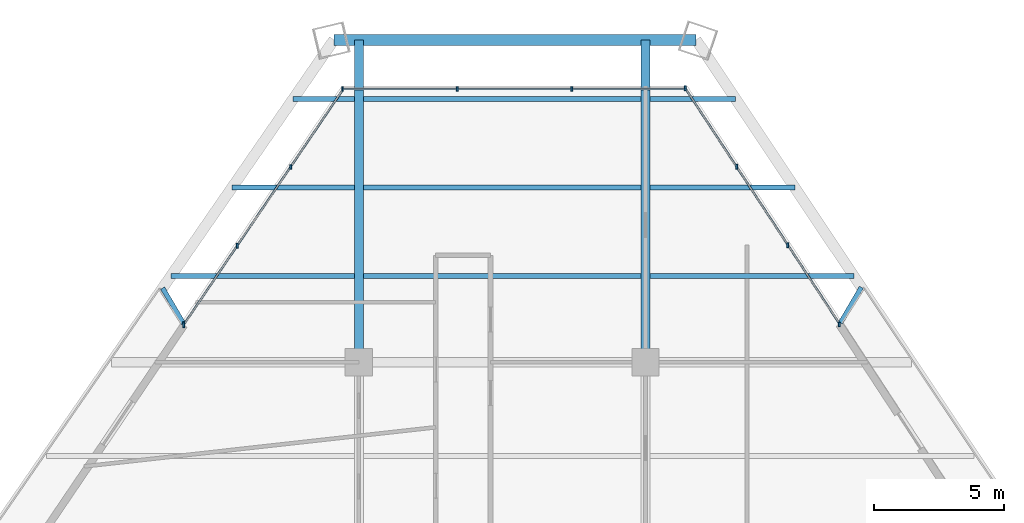
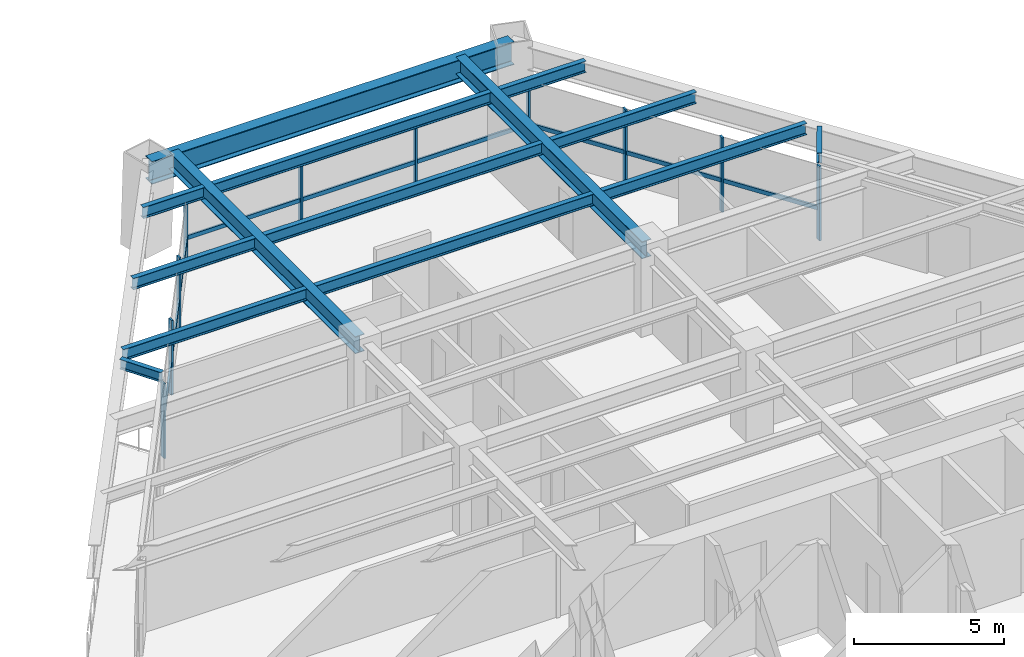
# One storey, part 8 of 14: 20 members, 14 beams, 3 elements without a shape of their own.
"""IFC4 building model written with IfcOpenShell, lengths in metres."""

from ifc_helpers import new_model, si_unit, direction, frame, origin, origin_2d, place, context, subcontext, project, spatial, rectangle, i_section, extrude, source, transform, mapped, material, material_profile, profile_set, type_object, element, aggregate, save


model = new_model("IFC4")

# Units and contexts
model_context = context("Model", 3, precision=1e-05, world=origin(), true_north=direction((0.0, 1.0)))
body_context = subcontext(model_context, "Body", "Model", "MODEL_VIEW")
ifc_project = project(units=[si_unit("LENGTHUNIT", "METRE"), si_unit("AREAUNIT", "SQUARE_METRE"), si_unit("VOLUMEUNIT", "CUBIC_METRE"), si_unit("PLANEANGLEUNIT", "RADIAN"), si_unit("MASSUNIT", "GRAM", prefix="KILO")], contexts=[model_context])

# Site, building, storey
site_placement = place(None, origin())
site = spatial("IfcSite", under=ifc_project, at=site_placement, CompositionType="ELEMENT")
building_placement = place(site_placement, origin())
building = spatial("IfcBuilding", under=site, at=building_placement, Name="Varnakhor Terracotta Tower", CompositionType="ELEMENT")
storey_placement = place(building_placement, frame((0.0, 0.0, 76.60009765625)))
storey = spatial("IfcBuildingStorey", under=building, at=storey_placement, Name="L18", CompositionType="ELEMENT", Elevation=76.60009765625)

# Beams
ifc_material_1 = material(Name="Steel S355", Category="steel")
ifc_material_profile_1 = material_profile(ifc_material_1, i_section(OverallWidth=0.19189453125, OverallDepth=0.462890625, WebThickness=0.010498046875, FlangeThickness=0.017578125, FilletRadius=0.01806640625, at=origin_2d()), Name="W18X60")
ifc_profile_set_1 = profile_set([ifc_material_profile_1], Name="Steel S355")
beam_type_1 = type_object("IfcBeamType", Name="JST-W18X60", PredefinedType="JOIST", material=ifc_profile_set_1)
shared_shape_1 = source(origin(), body_context, "Body", "SweptSolid", [
    extrude(i_section(OverallWidth=0.19189453125, OverallDepth=0.462890625, WebThickness=0.010498046875, FlangeThickness=0.017578125, FilletRadius=0.01806640625, at=origin_2d()), origin(), (0.0, 0.0, 1.0), 10.65283203125),
])
for number, where, z_axis, x_axis, name in (
    (1, (-5.326416015625, 34.800048828125, 3.218505859375), (1.0, 0.0, 0.0), (0.0, 1.0, 0.0), "L18 Composite Floor Joist 7-2"),
    (2, (-5.326416015625, 38.199951171875, 3.218505859375), (1.0, 0.0, 0.0), (0.0, 1.0, 0.0), "L18 Composite Floor Joist 8-2"),
    (3, (-5.326416015625, 41.60009765625, 3.218505859375), (1.0, 0.0, 0.0), (0.0, 1.0, 0.0), "L18 Composite Floor Joist 9-2"),
):
    element("IfcBeam", number, at=place(storey_placement, frame(where, z_axis=z_axis, x_axis=x_axis)), inside=storey, type_object=beam_type_1, Name=name, PredefinedType="JOIST", context=body_context, shape_type="MappedRepresentation", body=[
        mapped(shared_shape_1, transform((0.0, 0.0, 0.0), scale=1.0)),
    ])
ifc_material_profile_2 = material_profile(ifc_material_1, i_section(OverallWidth=0.41796875, OverallDepth=0.927001953125, WebThickness=0.01904296875, FlangeThickness=0.031982421875, FilletRadius=0.01806640625, at=origin_2d()), Name="W36X231")
ifc_profile_set_2 = profile_set([ifc_material_profile_2], Name="Steel S355")
beam_type_2 = type_object("IfcBeamType", Name="BM-W36X231", PredefinedType="BEAM", material=ifc_profile_set_2)
shared_shape_2 = source(origin(), body_context, "Body", "SweptSolid", [
    extrude(i_section(OverallWidth=0.41796875, OverallDepth=0.927001953125, WebThickness=0.01904296875, FlangeThickness=0.031982421875, FilletRadius=0.01806640625, at=origin_2d()), origin(), (0.0, 0.0, 1.0), 13.899658203125),
])
beam_1_placement = place(storey_placement, frame((7.44384765625, 43.873291015625, 2.986328125), z_axis=(-1.0, 0.0, 0.0), x_axis=(0.0, -1.0, 0.0)))
element("IfcBeam", 4, at=beam_1_placement, inside=storey, type_object=beam_type_2, Name="L18 Perimeter Spandrel 5", PredefinedType="BEAM", context=body_context, shape_type="MappedRepresentation", body=[
    mapped(shared_shape_2, transform((0.0, 0.0, 0.0), scale=1.0)),
])
ifc_material_profile_3 = material_profile(ifc_material_1, i_section(OverallWidth=0.35498046875, OverallDepth=0.695068359375, WebThickness=0.014892578125, FlangeThickness=0.02490234375, FilletRadius=0.01806640625, at=origin_2d()), Name="W27X146")
ifc_profile_set_3 = profile_set([ifc_material_profile_3], Name="Steel S355")
beam_type_3 = type_object("IfcBeamType", Name="BM-W27X146", PredefinedType="BEAM", material=ifc_profile_set_3)
shared_shape_3 = source(origin(), body_context, "Body", "SweptSolid", [
    extrude(i_section(OverallWidth=0.35498046875, OverallDepth=0.695068359375, WebThickness=0.014892578125, FlangeThickness=0.02490234375, FilletRadius=0.01806640625, at=origin_2d()), origin(), (0.0, 0.0, 1.0), 12.373291015625),
])
for number, where, z_axis, x_axis, name in (
    (5, (-5.5, 31.5, 3.102294921875), (0.0, 1.0, 0.0), (-1.0, 0.0, 0.0), "L18 Primary Girder NS3-W"),
    (6, (5.5, 31.5, 3.102294921875), (0.0, 1.0, 0.0), (-1.0, 0.0, 0.0), "L18 Primary Girder NS3-E"),
):
    element("IfcBeam", number, at=place(storey_placement, frame(where, z_axis=z_axis, x_axis=x_axis)), inside=storey, type_object=beam_type_3, Name=name, PredefinedType="BEAM", context=body_context, shape_type="MappedRepresentation", body=[
        mapped(shared_shape_3, transform((0.0, 0.0, 0.0), scale=1.0)),
    ])
shared_shape_4 = source(origin(), body_context, "Body", "SweptSolid", [
    extrude(i_section(OverallWidth=0.19189453125, OverallDepth=0.462890625, WebThickness=0.010498046875, FlangeThickness=0.017578125, FilletRadius=0.01806640625, at=origin_2d()), origin(), (0.0, 0.0, 1.0), 7.046875),
])
beam_2_placement = place(storey_placement, frame((-12.720458984375, 34.800048828125, 3.218505859375), z_axis=(1.0, 0.0, 0.0), x_axis=(0.0, 1.0, 0.0)))
element("IfcBeam", 7, at=beam_2_placement, inside=storey, type_object=beam_type_1, Name="L18 Composite Floor Joist 7-1", PredefinedType="JOIST", context=body_context, shape_type="MappedRepresentation", body=[
    mapped(shared_shape_4, transform((0.0, 0.0, 0.0), scale=1.0)),
])
shared_shape_5 = source(origin(), body_context, "Body", "SweptSolid", [
    extrude(i_section(OverallWidth=0.19189453125, OverallDepth=0.462890625, WebThickness=0.010498046875, FlangeThickness=0.017578125, FilletRadius=0.01806640625, at=origin_2d()), origin(), (0.0, 0.0, 1.0), 7.83056640625),
])
beam_3_placement = place(storey_placement, frame((5.673583984375, 34.800048828125, 3.218505859375), z_axis=(1.0, 0.0, 0.0), x_axis=(0.0, 1.0, 0.0)))
element("IfcBeam", 8, at=beam_3_placement, inside=storey, type_object=beam_type_1, Name="L18 Composite Floor Joist 7-3", PredefinedType="JOIST", context=body_context, shape_type="MappedRepresentation", body=[
    mapped(shared_shape_5, transform((0.0, 0.0, 0.0), scale=1.0)),
])
shared_shape_6 = source(origin(), body_context, "Body", "SweptSolid", [
    extrude(i_section(OverallWidth=0.19189453125, OverallDepth=0.462890625, WebThickness=0.010498046875, FlangeThickness=0.017578125, FilletRadius=0.01806640625, at=origin_2d()), origin(), (0.0, 0.0, 1.0), 4.699462890625),
])
beam_4_placement = place(storey_placement, frame((-10.373046875, 38.199951171875, 3.218505859375), z_axis=(1.0, 0.0, 0.0), x_axis=(0.0, 1.0, 0.0)))
element("IfcBeam", 9, at=beam_4_placement, inside=storey, type_object=beam_type_1, Name="L18 Composite Floor Joist 8-1", PredefinedType="JOIST", context=body_context, shape_type="MappedRepresentation", body=[
    mapped(shared_shape_6, transform((0.0, 0.0, 0.0), scale=1.0)),
])
shared_shape_7 = source(origin(), body_context, "Body", "SweptSolid", [
    extrude(i_section(OverallWidth=0.19189453125, OverallDepth=0.462890625, WebThickness=0.010498046875, FlangeThickness=0.017578125, FilletRadius=0.01806640625, at=origin_2d()), origin(), (0.0, 0.0, 1.0), 5.5595703125),
])
beam_5_placement = place(storey_placement, frame((5.673583984375, 38.199951171875, 3.218505859375), z_axis=(1.0, 0.0, 0.0), x_axis=(0.0, 1.0, 0.0)))
element("IfcBeam", 10, at=beam_5_placement, inside=storey, type_object=beam_type_1, Name="L18 Composite Floor Joist 8-3", PredefinedType="JOIST", context=body_context, shape_type="MappedRepresentation", body=[
    mapped(shared_shape_7, transform((0.0, 0.0, 0.0), scale=1.0)),
])
shared_shape_8 = source(origin(), body_context, "Body", "SweptSolid", [
    extrude(i_section(OverallWidth=0.19189453125, OverallDepth=0.462890625, WebThickness=0.010498046875, FlangeThickness=0.017578125, FilletRadius=0.01806640625, at=origin_2d()), origin(), (0.0, 0.0, 1.0), 2.351806640625),
])
beam_6_placement = place(storey_placement, frame((-8.025390625, 41.60009765625, 3.218505859375), z_axis=(1.0, 0.0, 0.0), x_axis=(0.0, 1.0, 0.0)))
element("IfcBeam", 11, at=beam_6_placement, inside=storey, type_object=beam_type_1, Name="L18 Composite Floor Joist 9-1", PredefinedType="JOIST", context=body_context, shape_type="MappedRepresentation", body=[
    mapped(shared_shape_8, transform((0.0, 0.0, 0.0), scale=1.0)),
])
shared_shape_9 = source(origin(), body_context, "Body", "SweptSolid", [
    extrude(i_section(OverallWidth=0.19189453125, OverallDepth=0.462890625, WebThickness=0.010498046875, FlangeThickness=0.017578125, FilletRadius=0.01806640625, at=origin_2d()), origin(), (0.0, 0.0, 1.0), 3.288818359375),
])
beam_7_placement = place(storey_placement, frame((5.673583984375, 41.60009765625, 3.218505859375), z_axis=(1.0, 0.0, 0.0), x_axis=(0.0, 1.0, 0.0)))
element("IfcBeam", 12, at=beam_7_placement, inside=storey, type_object=beam_type_1, Name="L18 Composite Floor Joist 9-3", PredefinedType="JOIST", context=body_context, shape_type="MappedRepresentation", body=[
    mapped(shared_shape_9, transform((0.0, 0.0, 0.0), scale=1.0)),
])

# Curtain wall, members
ifc_material_2 = material(Name="Anodised Aluminium Curtain Wall System", Category="aluminium")
curtain_wall_type = type_object("IfcCurtainWallType", Name="CW-SYS-LOW-OFFICE", PredefinedType="NOTDEFINED", material=ifc_material_2)
curtain_wall_1_placement = place(storey_placement, origin())
curtain_wall_1 = element("IfcCurtainWall", 13, at=curtain_wall_1_placement, inside=storey, type_object=curtain_wall_type, Name="L18 W Facet Curtain Wall 2", PredefinedType="NOTDEFINED")
ifc_material_3 = material(Name="Anodised Aluminium 6063-T6", Category="aluminium")
ifc_material_profile_4 = material_profile(ifc_material_3, rectangle(XDim=0.074951171875, YDim=0.18505859375, at=origin_2d()), Name="ALU MULLION 75x185")
ifc_profile_set_4 = profile_set([ifc_material_profile_4], Name="Anodised Aluminium 6063-T6")
member_type_1 = type_object("IfcMemberType", Name="CWM-02", PredefinedType="MULLION", material=ifc_profile_set_4)
shared_shape_10 = source(origin(), body_context, "Body", "SweptSolid", [
    extrude(rectangle(XDim=0.074951171875, YDim=0.18505859375, at=origin_2d()), origin(), (0.0, 0.0, 1.0), 3.02978515625),
])
member_1_placement = place(storey_placement, frame((-12.21484375, 32.952880859375, 0.0), z_axis=(0.0, 0.0, 1.0), x_axis=(1.0, 0.0, 0.0)))
member_1 = element("IfcMember", 14, at=member_1_placement, type_object=member_type_1, Name="L18 W Facet Curtain Wall 2 Mullion 1", PredefinedType="MULLION", context=body_context, shape_type="MappedRepresentation", body=[
    mapped(shared_shape_10, transform((0.0, 0.0, 0.0), scale=1.0)),
])
member_2_placement = place(storey_placement, frame((-10.168701171875, 35.972900390625, 0.0), z_axis=(0.0, 0.0, 1.0), x_axis=(1.0, 0.0, 0.0)))
member_2 = element("IfcMember", 15, at=member_2_placement, type_object=member_type_1, Name="L18 W Facet Curtain Wall 2 Mullion 2", PredefinedType="MULLION", context=body_context, shape_type="MappedRepresentation", body=[
    mapped(shared_shape_10, transform((0.0, 0.0, 0.0), scale=1.0)),
])
member_3_placement = place(storey_placement, frame((-8.122802734375, 38.992919921875, 0.0), z_axis=(0.0, 0.0, 1.0), x_axis=(1.0, 0.0, 0.0)))
member_3 = element("IfcMember", 16, at=member_3_placement, type_object=member_type_1, Name="L18 W Facet Curtain Wall 2 Mullion 3", PredefinedType="MULLION", context=body_context, shape_type="MappedRepresentation", body=[
    mapped(shared_shape_10, transform((0.0, 0.0, 0.0), scale=1.0)),
])
member_4_placement = place(storey_placement, frame((-12.215087890625, 32.9169921875, 0.0), z_axis=(0.0, 0.0, 1.0), x_axis=(1.0, 0.0, 0.0)))
member_4 = element("IfcMember", 17, at=member_4_placement, type_object=member_type_1, Name="L18 W Loggia Jamb Closure Mullion 2", PredefinedType="MULLION", context=body_context, shape_type="MappedRepresentation", body=[
    mapped(shared_shape_10, transform((0.0, 0.0, 0.0), scale=1.0)),
])

curtain_wall_2_placement = place(storey_placement, origin())
curtain_wall_2 = element("IfcCurtainWall", 18, at=curtain_wall_2_placement, inside=storey, type_object=curtain_wall_type, Name="L18 Facet Curtain Wall 2", PredefinedType="NOTDEFINED")
member_5_placement = place(storey_placement, frame((-6.12939453125, 41.985107421875, 0.0), z_axis=(0.0, 0.0, 1.0), x_axis=(1.0, 0.0, 0.0)))
member_5 = element("IfcMember", 19, at=member_5_placement, type_object=member_type_1, Name="L18 Facet Curtain Wall 2 Mullion 1", PredefinedType="MULLION", context=body_context, shape_type="MappedRepresentation", body=[
    mapped(shared_shape_10, transform((0.0, 0.0, 0.0), scale=1.0)),
])
member_6_placement = place(storey_placement, frame((-1.726318359375, 41.985107421875, 0.0), z_axis=(0.0, 0.0, 1.0), x_axis=(1.0, 0.0, 0.0)))
member_6 = element("IfcMember", 20, at=member_6_placement, type_object=member_type_1, Name="L18 Facet Curtain Wall 2 Mullion 2", PredefinedType="MULLION", context=body_context, shape_type="MappedRepresentation", body=[
    mapped(shared_shape_10, transform((0.0, 0.0, 0.0), scale=1.0)),
])
member_7_placement = place(storey_placement, frame((2.677001953125, 41.985107421875, 0.0), z_axis=(0.0, 0.0, 1.0), x_axis=(1.0, 0.0, 0.0)))
member_7 = element("IfcMember", 21, at=member_7_placement, type_object=member_type_1, Name="L18 Facet Curtain Wall 2 Mullion 3", PredefinedType="MULLION", context=body_context, shape_type="MappedRepresentation", body=[
    mapped(shared_shape_10, transform((0.0, 0.0, 0.0), scale=1.0)),
])

curtain_wall_3_placement = place(storey_placement, origin())
curtain_wall_3 = element("IfcCurtainWall", 22, at=curtain_wall_3_placement, inside=storey, type_object=curtain_wall_type, Name="L18 E Facet Curtain Wall 1", PredefinedType="NOTDEFINED")
member_8_placement = place(storey_placement, frame((7.026123046875, 42.014404296875, 0.0), z_axis=(0.0, 0.0, 1.0), x_axis=(1.0, 0.0, 0.0)))
member_8 = element("IfcMember", 23, at=member_8_placement, type_object=member_type_1, Name="L18 E Facet Curtain Wall 1 Mullion 1", PredefinedType="MULLION", context=body_context, shape_type="MappedRepresentation", body=[
    mapped(shared_shape_10, transform((0.0, 0.0, 0.0), scale=1.0)),
])
member_9_placement = place(storey_placement, frame((8.998291015625, 39.002685546875, 0.0), z_axis=(0.0, 0.0, 1.0), x_axis=(1.0, 0.0, 0.0)))
member_9 = element("IfcMember", 24, at=member_9_placement, type_object=member_type_1, Name="L18 E Facet Curtain Wall 1 Mullion 2", PredefinedType="MULLION", context=body_context, shape_type="MappedRepresentation", body=[
    mapped(shared_shape_10, transform((0.0, 0.0, 0.0), scale=1.0)),
])
member_10_placement = place(storey_placement, frame((10.970703125, 35.990966796875, 0.0), z_axis=(0.0, 0.0, 1.0), x_axis=(1.0, 0.0, 0.0)))
member_10 = element("IfcMember", 25, at=member_10_placement, type_object=member_type_1, Name="L18 E Facet Curtain Wall 1 Mullion 3", PredefinedType="MULLION", context=body_context, shape_type="MappedRepresentation", body=[
    mapped(shared_shape_10, transform((0.0, 0.0, 0.0), scale=1.0)),
])
member_11_placement = place(storey_placement, frame((12.942626953125, 32.943359375, 0.0), z_axis=(0.0, 0.0, 1.0), x_axis=(1.0, 0.0, 0.0)))
member_11 = element("IfcMember", 26, at=member_11_placement, type_object=member_type_1, Name="L18 E Loggia Jamb Closure Mullion 1", PredefinedType="MULLION", context=body_context, shape_type="MappedRepresentation", body=[
    mapped(shared_shape_10, transform((0.0, 0.0, 0.0), scale=1.0)),
])

# Member
ifc_material_profile_5 = material_profile(ifc_material_3, rectangle(XDim=0.074951171875, YDim=0.1650390625, at=origin_2d()), Name="ALU TRANSOM 75x165")
ifc_profile_set_5 = profile_set([ifc_material_profile_5], Name="Anodised Aluminium 6063-T6")
member_type_2 = type_object("IfcMemberType", Name="CWT-02", PredefinedType="USERDEFINED", material=ifc_profile_set_5)
shared_shape_11 = source(origin(), body_context, "Body", "SweptSolid", [
    extrude(rectangle(XDim=0.074951171875, YDim=0.1650390625, at=origin_2d()), origin(), (0.0, 0.0, 1.0), 3.647705078125),
])
member_12_placement = place(storey_placement, frame((-10.168701171875, 35.972900390625, 1.2724609375), z_axis=(0.560862943877, 0.827908665365, 0.0), x_axis=(-0.827908665365, 0.560862943877, 0.0)))
member_12 = element("IfcMember", 27, at=member_12_placement, type_object=member_type_2, Name="L18 W Facet Curtain Wall 2 Transom 2", ObjectType="TRANSOM", PredefinedType="USERDEFINED", context=body_context, shape_type="MappedRepresentation", body=[
    mapped(shared_shape_11, transform((0.0, 0.0, 0.0), scale=1.0)),
])

member_13_placement = place(storey_placement, frame((-8.122802734375, 38.992919921875, 1.2724609375), z_axis=(0.560862943877, 0.827908665365, 0.0), x_axis=(-0.827908665365, 0.560862943877, 0.0)))
member_13 = element("IfcMember", 28, at=member_13_placement, type_object=member_type_2, Name="L18 W Facet Curtain Wall 2 Transom 3", ObjectType="TRANSOM", PredefinedType="USERDEFINED", context=body_context, shape_type="MappedRepresentation", body=[
    mapped(shared_shape_11, transform((0.0, 0.0, 0.0), scale=1.0)),
])

shared_shape_12 = source(origin(), body_context, "Body", "SweptSolid", [
    extrude(rectangle(XDim=0.074951171875, YDim=0.1650390625, at=origin_2d()), origin(), (0.0, 0.0, 1.0), 3.64794921875),
])
member_14_placement = place(storey_placement, frame((-12.21484375, 32.952880859375, 1.2724609375), z_axis=(0.560908816453, 0.827877587343, 0.0), x_axis=(-0.827877587343, 0.560908816453, 0.0)))
member_14 = element("IfcMember", 29, at=member_14_placement, type_object=member_type_2, Name="L18 W Facet Curtain Wall 2 Transom 1", ObjectType="TRANSOM", PredefinedType="USERDEFINED", context=body_context, shape_type="MappedRepresentation", body=[
    mapped(shared_shape_12, transform((0.0, 0.0, 0.0), scale=1.0)),
])

aggregate(curtain_wall_1, [member_1, member_14, member_2, member_12, member_3, member_13, member_4])

shared_shape_13 = source(origin(), body_context, "Body", "SweptSolid", [
    extrude(rectangle(XDim=0.074951171875, YDim=0.1650390625, at=origin_2d()), origin(), (0.0, 0.0, 1.0), 4.403076171875),
])
member_15_placement = place(storey_placement, frame((-6.12939453125, 41.985107421875, 1.2724609375), z_axis=(1.0, 0.0, 0.0), x_axis=(0.0, 1.0, 0.0)))
member_15 = element("IfcMember", 30, at=member_15_placement, type_object=member_type_2, Name="L18 Facet Curtain Wall 2 Transom 1", ObjectType="TRANSOM", PredefinedType="USERDEFINED", context=body_context, shape_type="MappedRepresentation", body=[
    mapped(shared_shape_13, transform((0.0, 0.0, 0.0), scale=1.0)),
])

member_16_placement = place(storey_placement, frame((2.677001953125, 41.985107421875, 1.2724609375), z_axis=(1.0, 0.0, 0.0), x_axis=(0.0, 1.0, 0.0)))
member_16 = element("IfcMember", 31, at=member_16_placement, type_object=member_type_2, Name="L18 Facet Curtain Wall 2 Transom 3", ObjectType="TRANSOM", PredefinedType="USERDEFINED", context=body_context, shape_type="MappedRepresentation", body=[
    mapped(shared_shape_13, transform((0.0, 0.0, 0.0), scale=1.0)),
])

shared_shape_14 = source(origin(), body_context, "Body", "SweptSolid", [
    extrude(rectangle(XDim=0.074951171875, YDim=0.1650390625, at=origin_2d()), origin(), (0.0, 0.0, 1.0), 4.4033203125),
])
member_17_placement = place(storey_placement, frame((-1.726318359375, 41.985107421875, 1.2724609375), z_axis=(1.0, 0.0, 0.0), x_axis=(0.0, 1.0, 0.0)))
member_17 = element("IfcMember", 32, at=member_17_placement, type_object=member_type_2, Name="L18 Facet Curtain Wall 2 Transom 2", ObjectType="TRANSOM", PredefinedType="USERDEFINED", context=body_context, shape_type="MappedRepresentation", body=[
    mapped(shared_shape_14, transform((0.0, 0.0, 0.0), scale=1.0)),
])

aggregate(curtain_wall_2, [member_5, member_15, member_6, member_17, member_7, member_16])

shared_shape_15 = source(origin(), body_context, "Body", "SweptSolid", [
    extrude(rectangle(XDim=0.074951171875, YDim=0.1650390625, at=origin_2d()), origin(), (0.0, 0.0, 1.0), 3.60009765625),
])
member_18_placement = place(storey_placement, frame((7.026123046875, 42.014404296875, 1.2724609375), z_axis=(0.547826626947, -0.836591887845, 0.0), x_axis=(0.836591887845, 0.547826626947, 0.0)))
member_18 = element("IfcMember", 33, at=member_18_placement, type_object=member_type_2, Name="L18 E Facet Curtain Wall 1 Transom 1", ObjectType="TRANSOM", PredefinedType="USERDEFINED", context=body_context, shape_type="MappedRepresentation", body=[
    mapped(shared_shape_15, transform((0.0, 0.0, 0.0), scale=1.0)),
])

member_19_placement = place(storey_placement, frame((8.998291015625, 39.002685546875, 1.2724609375), z_axis=(0.547874088548, -0.836560806575, 0.0), x_axis=(0.836560806575, 0.547874088548, 0.0)))
member_19 = element("IfcMember", 34, at=member_19_placement, type_object=member_type_2, Name="L18 E Facet Curtain Wall 1 Transom 2", ObjectType="TRANSOM", PredefinedType="USERDEFINED", context=body_context, shape_type="MappedRepresentation", body=[
    mapped(shared_shape_15, transform((0.0, 0.0, 0.0), scale=1.0)),
])

shared_shape_16 = source(origin(), body_context, "Body", "SweptSolid", [
    extrude(rectangle(XDim=0.074951171875, YDim=0.1650390625, at=origin_2d()), origin(), (0.0, 0.0, 1.0), 3.599853515625),
])
member_20_placement = place(storey_placement, frame((10.970703125, 35.990966796875, 1.2724609375), z_axis=(0.547905171394, -0.836540449207, 0.0), x_axis=(0.836540449207, 0.547905171394, 0.0)))
member_20 = element("IfcMember", 35, at=member_20_placement, type_object=member_type_2, Name="L18 E Facet Curtain Wall 1 Transom 3", ObjectType="TRANSOM", PredefinedType="USERDEFINED", context=body_context, shape_type="MappedRepresentation", body=[
    mapped(shared_shape_16, transform((0.0, 0.0, 0.0), scale=1.0)),
])

aggregate(curtain_wall_3, [member_8, member_18, member_9, member_19, member_10, member_20, member_11])

# Beams
ifc_material_profile_6 = material_profile(ifc_material_1, i_section(OverallWidth=0.179931640625, OverallDepth=0.39990234375, WebThickness=0.008544921875, FlangeThickness=0.013427734375, FilletRadius=0.01806640625, at=origin_2d()), Name="IPE400")
ifc_profile_set_6 = profile_set([ifc_material_profile_6], Name="Steel S355")
beam_type_4 = type_object("IfcBeamType", Name="JST-IPE400", PredefinedType="JOIST", material=ifc_profile_set_6)
shared_shape_17 = source(origin(), body_context, "Body", "SweptSolid", [
    extrude(i_section(OverallWidth=0.179931640625, OverallDepth=0.39990234375, WebThickness=0.008544921875, FlangeThickness=0.013427734375, FilletRadius=0.01806640625, at=origin_2d()), origin(), (0.0, 0.0, 1.0), 1.583984375),
])
beam_8_placement = place(storey_placement, frame((12.988037109375, 33.005615234375, 3.25), z_axis=(0.506609200765, 0.862175804405, 0.0), x_axis=(-0.862175804405, 0.506609200765, 0.0)))
element("IfcBeam", 36, at=beam_8_placement, inside=storey, type_object=beam_type_4, Name="L19 E Loggia Tie Beam 1", PredefinedType="JOIST", context=body_context, shape_type="MappedRepresentation", body=[
    mapped(shared_shape_17, transform((0.0, 0.0, 0.0), scale=1.0)),
])
shared_shape_18 = source(origin(), body_context, "Body", "SweptSolid", [
    extrude(i_section(OverallWidth=0.179931640625, OverallDepth=0.39990234375, WebThickness=0.008544921875, FlangeThickness=0.013427734375, FilletRadius=0.01806640625, at=origin_2d()), origin(), (0.0, 0.0, 1.0), 1.583740234375),
])
beam_9_placement = place(storey_placement, frame((-12.23193359375, 32.97900390625, 3.25), z_axis=(-0.507336732225, 0.861747898248, 0.0), x_axis=(-0.861747898248, -0.507336732225, 0.0)))
element("IfcBeam", 37, at=beam_9_placement, inside=storey, type_object=beam_type_4, Name="L19 W Loggia Tie Beam 2", PredefinedType="JOIST", context=body_context, shape_type="MappedRepresentation", body=[
    mapped(shared_shape_18, transform((0.0, 0.0, 0.0), scale=1.0)),
])

save(model, "model.ifc")
